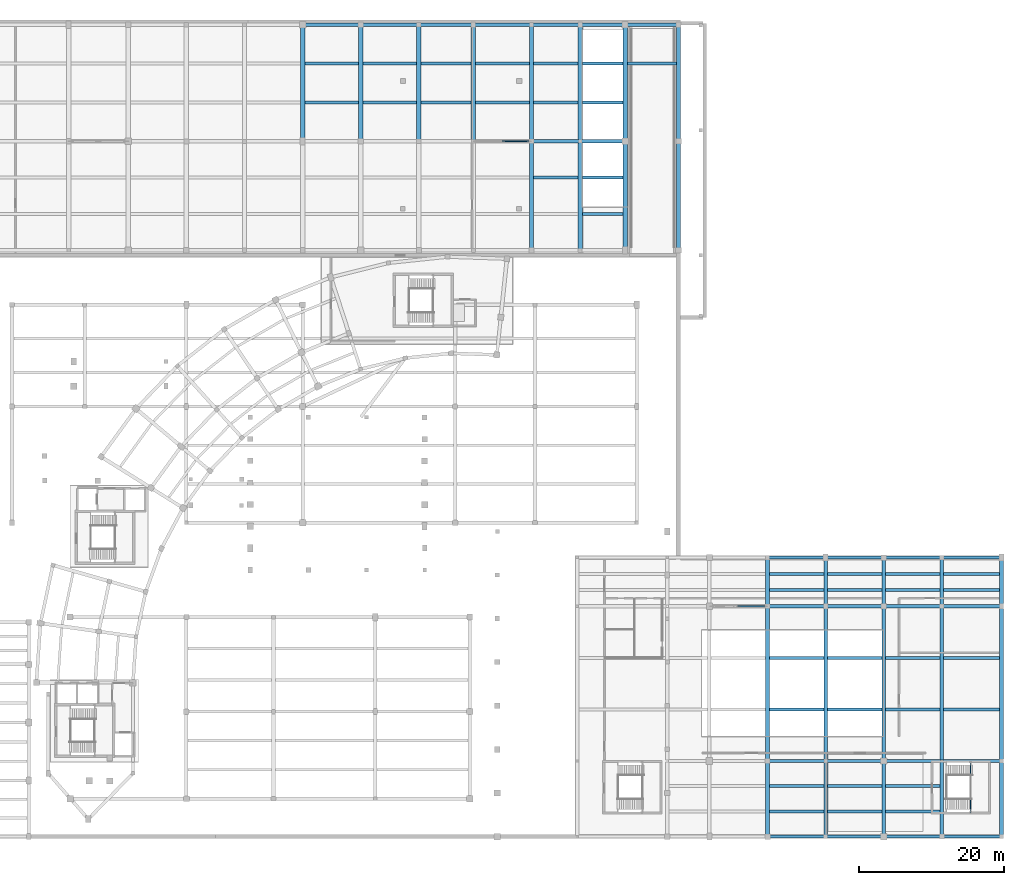
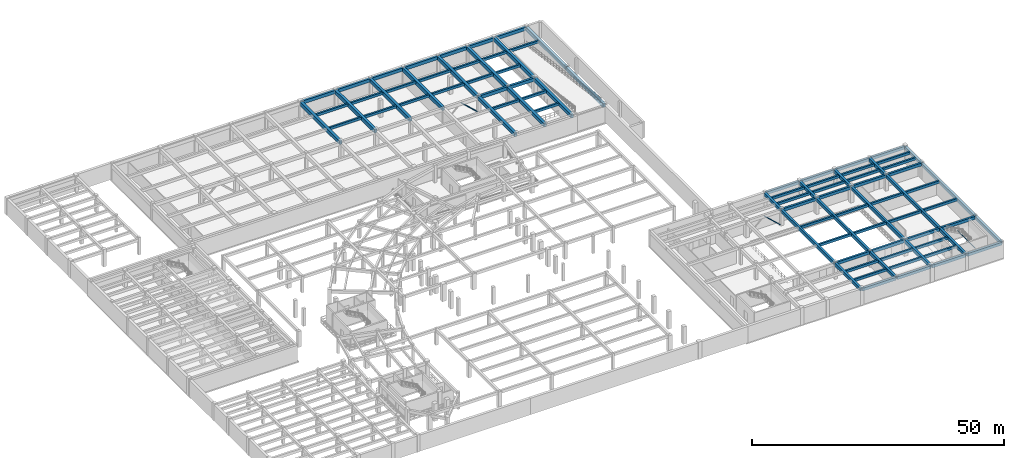
# One storey, part 8 of 35: 90 beams, 3 members.
"""IFC4 building model written with IfcOpenShell, lengths in metres."""

import ifcopenshell
import ifcopenshell.guid

model = None  # the IFC model being written
_history = None  # IfcOwnerHistory: only IFC2X3 demands one
_inside = {}  # id of a spatial element -> (the spatial element, [elements in it])
_under = {}  # id of a project, library or spatial element -> (it, [spatial elements below it])
_declared = {}  # id of a project -> (the project, [libraries it declares])
_typed = {}  # id of a type object -> (the type object, [elements of that type])
_made_of = {}  # id of a material, layer set ... -> (it, [elements and type objects made of it])


def new_model(schema):
    """Start an empty IFC model of exactly this schema.

    Asked for "IFC4X3", IfcOpenShell would pick the latest addendum, in which some entities
    have other attributes; the version numbers below select the first issue.
    IFC2X3 requires an IfcOwnerHistory on every rooted entity: one is made here for all.
    """
    global model, _history
    if schema == "IFC4X3":
        model = ifcopenshell.file(schema_version=(4, 3, 0, 0))
    else:
        model = ifcopenshell.file(schema=schema)
    _inside.clear()
    _under.clear()
    _declared.clear()
    _typed.clear()
    _made_of.clear()
    _history = None
    if model.schema == "IFC2X3":
        org = make("IfcOrganization", Name="unknown")
        user = make(
            "IfcPersonAndOrganization",
            ThePerson=make("IfcPerson", FamilyName="unknown"),
            TheOrganization=org,
        )
        app = make(
            "IfcApplication",
            ApplicationDeveloper=org,
            Version="unknown",
            ApplicationFullName="unknown",
            ApplicationIdentifier="unknown",
        )
        _history = make(
            "IfcOwnerHistory",
            OwningUser=user,
            OwningApplication=app,
            ChangeAction="ADDED",
            CreationDate=0,
        )
    return model


def make(cls, **values):
    """One entity of the class cls with the attributes given. An attribute that is None is left unset."""
    return model.create_entity(
        cls, **{name: value for name, value in values.items() if value is not None}
    )


def rooted(cls, **values):
    """An entity with a GlobalId (a new one), such as an element, a storey or a relation."""
    return make(cls, GlobalId=ifcopenshell.guid.new(), OwnerHistory=_history, **values)


def si_unit(unit_type, name, prefix=None):
    """IfcSIUnit, for example si_unit("LENGTHUNIT", "METRE", prefix="MILLI")."""
    return make("IfcSIUnit", UnitType=unit_type, Prefix=prefix, Name=name)


def assignment(units):
    """IfcUnitAssignment: the units of a project."""
    return None if units is None else make("IfcUnitAssignment", Units=units)


def point(xyz):
    """IfcCartesianPoint."""
    return None if xyz is None else make("IfcCartesianPoint", Coordinates=xyz)


def direction(xyz):
    """IfcDirection."""
    return None if xyz is None else make("IfcDirection", DirectionRatios=xyz)


def frame(location, z_axis=None, x_axis=None):
    """IfcAxis2Placement3D, a coordinate frame: its origin and axes. An axis left out is left unset."""
    return make(
        "IfcAxis2Placement3D",
        Location=point(location),
        Axis=direction(z_axis),
        RefDirection=direction(x_axis),
    )


def frame_2d(location, x_axis=None):
    """IfcAxis2Placement2D, a coordinate frame in the plane: its origin and x axis."""
    return make(
        "IfcAxis2Placement2D", Location=point(location), RefDirection=direction(x_axis)
    )


def origin():
    """The frame at (0, 0, 0) with its axes left unset."""
    return frame((0.0, 0.0, 0.0))


def origin_2d():
    """The frame at (0, 0) in the plane with its x axis left unset."""
    return frame_2d((0.0, 0.0))


def place(relative_to, where):
    """IfcLocalPlacement: puts the frame where relative to a parent placement (None: the world)."""
    return make(
        "IfcLocalPlacement", PlacementRelTo=relative_to, RelativePlacement=where
    )


def context(
    kind, dimensions, precision=None, world=None, true_north=None, identifier=None
):
    """IfcGeometricRepresentationContext, for example the 3D "Model" context."""
    return make(
        "IfcGeometricRepresentationContext",
        ContextIdentifier=identifier,
        ContextType=kind,
        CoordinateSpaceDimension=dimensions,
        Precision=precision,
        WorldCoordinateSystem=world,
        TrueNorth=true_north,
    )


def subcontext(parent, identifier, kind, view, scale=None):
    """IfcGeometricRepresentationSubContext, for example "Body" below "Model"."""
    return make(
        "IfcGeometricRepresentationSubContext",
        ContextIdentifier=identifier,
        ContextType=kind,
        ParentContext=parent,
        TargetScale=scale,
        TargetView=view,
    )


def project(units=None, contexts=None):
    """IfcProject with its units and contexts."""
    return rooted(
        "IfcProject",
        Name="project",
        RepresentationContexts=contexts,
        UnitsInContext=assignment(units),
    )


def spatial(cls, under=None, at=None, **own):
    """A site, building, storey or space (cls), placed at a placement, below another one or the project."""
    s = rooted(cls, ObjectPlacement=at, **own)
    if under is not None:
        _under.setdefault(under.id(), (under, []))[1].append(s)
    return s


def profile(cls, at=None, kind="AREA", **sizes):
    """A parametric profile (cls). Its sizes go by their IFC names, for example OverallWidth=200.0."""
    return make(cls, ProfileType=kind, Position=at, **sizes)


def rectangle(**sizes):
    """IfcRectangleProfileDef."""
    return profile("IfcRectangleProfileDef", **sizes)


def hollow_rectangle(**sizes):
    """IfcRectangleHollowProfileDef."""
    return profile("IfcRectangleHollowProfileDef", **sizes)


def hollow_circle(**sizes):
    """IfcCircleHollowProfileDef."""
    return profile("IfcCircleHollowProfileDef", **sizes)


def extrude(swept, where, along, depth):
    """IfcExtrudedAreaSolid: the profile swept, set in the frame where, extruded along a direction by depth."""
    return make(
        "IfcExtrudedAreaSolid",
        SweptArea=swept,
        Position=where,
        ExtrudedDirection=direction(along),
        Depth=depth,
    )


def shape(context_of_items, identifier, shape_type, items):
    """IfcShapeRepresentation: the items that make up one representation, for example the "Body"."""
    return make(
        "IfcShapeRepresentation",
        ContextOfItems=context_of_items,
        RepresentationIdentifier=identifier,
        RepresentationType=shape_type,
        Items=items,
    )


def material(Name=None, Category=None):
    """IfcMaterial."""
    return make("IfcMaterial", Name=Name, Category=Category)


def material_profile(
    of_material, cross_section, Name=None, Category=None, Priority=None
):
    """IfcMaterialProfile: a cross section and its material."""
    return make(
        "IfcMaterialProfile",
        Name=Name,
        Material=of_material,
        Profile=cross_section,
        Priority=Priority,
        Category=Category,
    )


def profile_set(profiles, Name=None, composite=None):
    """IfcMaterialProfileSet."""
    return make(
        "IfcMaterialProfileSet",
        Name=Name,
        MaterialProfiles=profiles,
        CompositeProfile=composite,
    )


def made_of(thing, what):
    """Note that an element or type object is made of a material, layer set ...; save() writes the relation."""
    if what is not None:
        _made_of.setdefault(what.id(), (what, []))[1].append(thing)
    return thing


def type_object(cls, material=None, **own):
    """A type object (cls), such as IfcWallType, which elements share."""
    return made_of(rooted(cls, **own), material)


def element(
    cls,
    number,
    at=None,
    inside=None,
    cuts=None,
    type_object=None,
    material=None,
    context=None,
    identifier="Body",
    shape_type=None,
    held_by="IfcProductDefinitionShape",
    body=None,
    shapes=None,
    **own,
):
    """One element of the class cls, such as IfcWall. Its Tag is "e" and its number.

    at: its placement. inside: the storey or other place that contains it. cuts: it is an
    opening in that element (IfcRelVoidsElement). A single representation is given by context,
    identifier, shape_type and body (its items); several are given by shapes. held_by: the class
    of the entity that holds the representations. save() writes the other relations.
    """
    e = rooted(cls, Tag="e%d" % number, ObjectPlacement=at, **own)
    if body is not None:
        shapes = [shape(context, identifier, shape_type, body)]
    if shapes is not None:
        e.Representation = make(held_by, Representations=shapes)
    if inside is not None:
        _inside.setdefault(inside.id(), (inside, []))[1].append(e)
    if cuts is not None:
        rooted(
            "IfcRelVoidsElement", RelatingBuildingElement=cuts, RelatedOpeningElement=e
        )
    if type_object is not None:
        _typed.setdefault(type_object.id(), (type_object, []))[1].append(e)
    return made_of(e, material)


def aggregate(whole, parts):
    """IfcRelAggregates: a whole, such as a stair, and the parts it consists of."""
    return rooted("IfcRelAggregates", RelatingObject=whole, RelatedObjects=parts)


def save(model, path):
    """Write the relations noted so far, then the file.

    IfcRelAggregates (storeys below a building ...), IfcRelContainedInSpatialStructure (elements
    in a storey), IfcRelDefinesByType, IfcRelAssociatesMaterial and IfcRelDeclares: one each for
    every whole, place, type object, material and project.
    """
    for whole, parts in _under.values():
        aggregate(whole, parts)
    for where, things in _inside.values():
        rooted(
            "IfcRelContainedInSpatialStructure",
            RelatedElements=things,
            RelatingStructure=where,
        )
    for kind, things in _typed.values():
        rooted("IfcRelDefinesByType", RelatedObjects=things, RelatingType=kind)
    for what, things in _made_of.values():
        rooted("IfcRelAssociatesMaterial", RelatedObjects=things, RelatingMaterial=what)
    for by, libraries in _declared.values():
        rooted("IfcRelDeclares", RelatingContext=by, RelatedDefinitions=libraries)
    model.write(path)


model = new_model("IFC4")

# Units and contexts
model_context = context("Model", 3, precision=1e-05, world=origin(), true_north=direction((0.0, 1.0)))
body_context = subcontext(model_context, "Body", "Model", "MODEL_VIEW")
ifc_project = project(units=[si_unit("LENGTHUNIT", "METRE"), si_unit("AREAUNIT", "SQUARE_METRE"), si_unit("VOLUMEUNIT", "CUBIC_METRE"), si_unit("PLANEANGLEUNIT", "RADIAN"), si_unit("MASSUNIT", "GRAM", prefix="KILO"), si_unit("THERMODYNAMICTEMPERATUREUNIT", "KELVIN"), si_unit("POWERUNIT", "WATT")], contexts=[model_context])

# Site, building, storey
site_placement = place(None, origin())
site = spatial("IfcSite", under=ifc_project, at=site_placement, CompositionType="ELEMENT")
building_placement = place(site_placement, origin())
building = spatial("IfcBuilding", under=site, at=building_placement, Name="Solvatero Civic Police Headquarters", CompositionType="ELEMENT")
storey_placement = place(building_placement, frame((0.0, 0.0, -4.199951171875)))
storey = spatial("IfcBuildingStorey", under=building, at=storey_placement, Name="B01", CompositionType="ELEMENT", Elevation=-4.199951171875)

# Beams
ifc_material_1 = material(Name="Concrete C40/50", Category="concrete")
ifc_material_profile_1 = material_profile(ifc_material_1, rectangle(XDim=0.39990234375, YDim=0.60009765625, at=origin_2d()), Name="RC 400x600")
ifc_profile_set_1 = profile_set([ifc_material_profile_1], Name="Concrete C40/50")
beam_type_1 = type_object("IfcBeamType", Name="BM-RC-400x600", PredefinedType="BEAM", material=ifc_profile_set_1)
for number, where, z_axis, x_axis, name in (
    (1, (72.300048828125, 105.85009765625, 3.579833984375), (1.0, 0.0, 0.0), (0.0, 1.0, 0.0), "Primary girder BM-R2-B01-V7B-SEC-6-2-S1"),
    (2, (72.300048828125, 111.199951171875, 3.579833984375), (1.0, 0.0, 0.0), (0.0, 1.0, 0.0), "Primary girder BM-R2-B01-V7B-SEC-6-2-S2"),
    (3, (80.300048828125, 105.85009765625, 3.579833984375), (1.0, 0.0, 0.0), (0.0, 1.0, 0.0), "Primary girder BM-R2-B01-V7B-SEC-7-2-S1"),
    (4, (80.300048828125, 111.199951171875, 3.579833984375), (1.0, 0.0, 0.0), (0.0, 1.0, 0.0), "Primary girder BM-R2-B01-V7B-SEC-7-2-S2"),
):
    element("IfcBeam", number, at=place(storey_placement, frame(where, z_axis=z_axis, x_axis=x_axis)), inside=storey, type_object=beam_type_1, Name=name, PredefinedType="BEAM", context=body_context, shape_type="SweptSolid", body=[
        extrude(rectangle(XDim=0.39990234375, YDim=0.60009765625, at=origin_2d()), origin(), (0.0, 0.0, 1.0), 7.39990234375),
    ])
for number, where, z_axis, x_axis, name in (
    (5, (88.300048828125, 105.85009765625, 3.579833984375), (1.0, 0.0, 0.0), (0.0, 1.0, 0.0), "Primary girder BM-R2-B01-V7B-SEC-8-2-S1"),
    (6, (88.300048828125, 111.199951171875, 3.579833984375), (1.0, 0.0, 0.0), (0.0, 1.0, 0.0), "Primary girder BM-R2-B01-V7B-SEC-8-2-S2"),
):
    element("IfcBeam", number, at=place(storey_placement, frame(where, z_axis=z_axis, x_axis=x_axis)), inside=storey, type_object=beam_type_1, Name=name, PredefinedType="BEAM", context=body_context, shape_type="SweptSolid", body=[
        extrude(rectangle(XDim=0.39990234375, YDim=0.60009765625, at=origin_2d()), origin(), (0.0, 0.0, 1.0), 6.89990234375),
    ])
for number, where, z_axis, x_axis, name in (
    (7, (95.800048828125, 105.85009765625, 3.579833984375), (1.0, 0.0, 0.0), (0.0, 1.0, 0.0), "Primary girder BM-R2-B01-V7B-SEC-9-2-S1"),
    (8, (95.800048828125, 111.199951171875, 3.579833984375), (1.0, 0.0, 0.0), (0.0, 1.0, 0.0), "Primary girder BM-R2-B01-V7B-SEC-9-2-S2"),
):
    element("IfcBeam", number, at=place(storey_placement, frame(where, z_axis=z_axis, x_axis=x_axis)), inside=storey, type_object=beam_type_1, Name=name, PredefinedType="BEAM", context=body_context, shape_type="SweptSolid", body=[
        extrude(rectangle(XDim=0.39990234375, YDim=0.60009765625, at=origin_2d()), origin(), (0.0, 0.0, 1.0), 7.39990234375),
    ])
for number, where, z_axis, x_axis, name in (
    (9, (103.800048828125, 95.5, 3.579833984375), (1.0, 0.0, 0.0), (0.0, 1.0, 0.0), "Primary girder BM-R2-B01-V7B-SEC-10-1-S2"),
    (10, (103.800048828125, 105.85009765625, 3.579833984375), (1.0, 0.0, 0.0), (0.0, 1.0, 0.0), "Primary girder BM-R2-B01-V7B-SEC-10-2-S1"),
    (11, (103.800048828125, 111.199951171875, 3.579833984375), (1.0, 0.0, 0.0), (0.0, 1.0, 0.0), "Primary girder BM-R2-B01-V7B-SEC-10-2-S2"),
):
    element("IfcBeam", number, at=place(storey_placement, frame(where, z_axis=z_axis, x_axis=x_axis)), inside=storey, type_object=beam_type_1, Name=name, PredefinedType="BEAM", context=body_context, shape_type="SweptSolid", body=[
        extrude(rectangle(XDim=0.39990234375, YDim=0.60009765625, at=origin_2d()), origin(), (0.0, 0.0, 1.0), 6.099853515625),
    ])
for number, where, z_axis, x_axis, name in (
    (12, (110.5, 90.5, 3.579833984375), (1.0, 0.0, 0.0), (0.0, 1.0, 0.0), "Primary girder BM-R2-B01-V7B-SEC-11-1-S1"),
    (13, (110.5, 95.5, 3.579833984375), (1.0, 0.0, 0.0), (0.0, 1.0, 0.0), "Primary girder BM-R2-B01-V7B-SEC-11-1-S2"),
    (14, (110.5, 105.85009765625, 3.579833984375), (1.0, 0.0, 0.0), (0.0, 1.0, 0.0), "Primary girder BM-R2-B01-V7B-SEC-11-2-S1"),
    (15, (110.5, 111.199951171875, 3.579833984375), (1.0, 0.0, 0.0), (0.0, 1.0, 0.0), "Primary girder BM-R2-B01-V7B-SEC-11-2-S2"),
):
    element("IfcBeam", number, at=place(storey_placement, frame(where, z_axis=z_axis, x_axis=x_axis)), inside=storey, type_object=beam_type_1, Name=name, PredefinedType="BEAM", context=body_context, shape_type="SweptSolid", body=[
        extrude(rectangle(XDim=0.39990234375, YDim=0.60009765625, at=origin_2d()), origin(), (0.0, 0.0, 1.0), 5.60009765625),
    ])
beam_1_placement = place(storey_placement, frame((116.699951171875, 111.199951171875, 3.579833984375), z_axis=(1.0, 0.0, 0.0), x_axis=(0.0, 1.0, 0.0)))
element("IfcBeam", 16, at=beam_1_placement, inside=storey, type_object=beam_type_1, Name="Primary girder BM-R2-B01-V7B-SEC-12-2-S2", PredefinedType="BEAM", context=body_context, shape_type="SweptSolid", body=[
    extrude(rectangle(XDim=0.39990234375, YDim=0.60009765625, at=origin_2d()), origin(), (0.0, 0.0, 1.0), 6.75),
])
for number, where, z_axis, x_axis, name in (
    (17, (136.25, 8.2666015625, 3.599853515625), (1.0, 0.0, 0.0), (0.0, 1.0, 0.0), "Primary girder BM-R2-B01-V3B-SEC-4-1-S1"),
    (18, (136.25, 11.7333984375, 3.599853515625), (1.0, 0.0, 0.0), (0.0, 1.0, 0.0), "Primary girder BM-R2-B01-V3B-SEC-4-1-S2"),
    (19, (136.25, 22.300048828125, 3.599853515625), (1.0, 0.0, 0.0), (0.0, 1.0, 0.0), "Primary girder BM-R2-B01-V3B-SEC-4-2-S1"),
    (20, (136.25, 29.39990234375, 3.599853515625), (1.0, 0.0, 0.0), (0.0, 1.0, 0.0), "Primary girder BM-R2-B01-V3B-SEC-4-2-S2"),
    (21, (136.25, 38.7333984375, 3.599853515625), (1.0, 0.0, 0.0), (0.0, 1.0, 0.0), "Primary girder BM-R2-B01-V3B-SEC-4-3-S1"),
    (22, (136.25, 40.966796875, 3.599853515625), (1.0, 0.0, 0.0), (0.0, 1.0, 0.0), "Primary girder BM-R2-B01-V3B-SEC-4-3-S2"),
    (23, (144.25, 8.2666015625, 3.599853515625), (1.0, 0.0, 0.0), (0.0, 1.0, 0.0), "Primary girder BM-R2-B01-V3B-SEC-5-1-S1"),
    (24, (144.25, 11.7333984375, 3.599853515625), (1.0, 0.0, 0.0), (0.0, 1.0, 0.0), "Primary girder BM-R2-B01-V3B-SEC-5-1-S2"),
    (25, (144.25, 22.300048828125, 3.599853515625), (1.0, 0.0, 0.0), (0.0, 1.0, 0.0), "Primary girder BM-R2-B01-V3B-SEC-5-2-S1"),
    (26, (144.25, 29.39990234375, 3.599853515625), (1.0, 0.0, 0.0), (0.0, 1.0, 0.0), "Primary girder BM-R2-B01-V3B-SEC-5-2-S2"),
    (27, (144.25, 38.7333984375, 3.599853515625), (1.0, 0.0, 0.0), (0.0, 1.0, 0.0), "Primary girder BM-R2-B01-V3B-SEC-5-3-S1"),
    (28, (144.25, 40.966796875, 3.599853515625), (1.0, 0.0, 0.0), (0.0, 1.0, 0.0), "Primary girder BM-R2-B01-V3B-SEC-5-3-S2"),
    (29, (152.25, 8.2666015625, 3.599853515625), (1.0, 0.0, 0.0), (0.0, 1.0, 0.0), "Primary girder BM-R2-B01-V3B-SEC-6-1-S1"),
    (30, (152.25, 11.7333984375, 3.599853515625), (1.0, 0.0, 0.0), (0.0, 1.0, 0.0), "Primary girder BM-R2-B01-V3B-SEC-6-1-S2"),
    (31, (152.25, 22.300048828125, 3.599853515625), (1.0, 0.0, 0.0), (0.0, 1.0, 0.0), "Primary girder BM-R2-B01-V3B-SEC-6-2-S1"),
    (32, (152.25, 29.39990234375, 3.599853515625), (1.0, 0.0, 0.0), (0.0, 1.0, 0.0), "Primary girder BM-R2-B01-V3B-SEC-6-2-S2"),
    (33, (152.25, 38.7333984375, 3.599853515625), (1.0, 0.0, 0.0), (0.0, 1.0, 0.0), "Primary girder BM-R2-B01-V3B-SEC-6-3-S1"),
    (34, (152.25, 40.966796875, 3.599853515625), (1.0, 0.0, 0.0), (0.0, 1.0, 0.0), "Primary girder BM-R2-B01-V3B-SEC-6-3-S2"),
):
    element("IfcBeam", number, at=place(storey_placement, frame(where, z_axis=z_axis, x_axis=x_axis)), inside=storey, type_object=beam_type_1, Name=name, PredefinedType="BEAM", context=body_context, shape_type="SweptSolid", body=[
        extrude(rectangle(XDim=0.39990234375, YDim=0.60009765625, at=origin_2d()), origin(), (0.0, 0.0, 1.0), 7.5),
    ])
for number, where, z_axis, x_axis, name in (
    (35, (160.25, 22.300048828125, 3.599853515625), (1.0, 0.0, 0.0), (0.0, 1.0, 0.0), "Primary girder BM-R2-B01-V3B-SEC-7-2-S1"),
    (36, (160.25, 29.39990234375, 3.599853515625), (1.0, 0.0, 0.0), (0.0, 1.0, 0.0), "Primary girder BM-R2-B01-V3B-SEC-7-2-S2"),
    (37, (160.25, 38.7333984375, 3.599853515625), (1.0, 0.0, 0.0), (0.0, 1.0, 0.0), "Primary girder BM-R2-B01-V3B-SEC-7-3-S1"),
    (38, (160.25, 40.966796875, 3.599853515625), (1.0, 0.0, 0.0), (0.0, 1.0, 0.0), "Primary girder BM-R2-B01-V3B-SEC-7-3-S2"),
):
    element("IfcBeam", number, at=place(storey_placement, frame(where, z_axis=z_axis, x_axis=x_axis)), inside=storey, type_object=beam_type_1, Name=name, PredefinedType="BEAM", context=body_context, shape_type="SweptSolid", body=[
        extrude(rectangle(XDim=0.39990234375, YDim=0.60009765625, at=origin_2d()), origin(), (0.0, 0.0, 1.0), 7.699951171875),
    ])
ifc_material_profile_2 = material_profile(ifc_material_1, rectangle(XDim=0.449951171875, YDim=0.699951171875, at=origin_2d()), Name="RC 450x700")
ifc_profile_set_2 = profile_set([ifc_material_profile_2], Name="Concrete C40/50")
beam_type_2 = type_object("IfcBeamType", Name="BM-RC-450x700", PredefinedType="BEAM", material=ifc_profile_set_2)
for number, where, z_axis, x_axis, name in (
    (39, (136.159912109375, 4.800048828125, 3.550048828125), (1.0, 0.0, 0.0), (0.0, 1.0, 0.0), "Primary girder BM-R2-B01-V3B-GX-4-1"),
    (40, (144.159912109375, 4.800048828125, 3.550048828125), (1.0, 0.0, 0.0), (0.0, 1.0, 0.0), "Primary girder BM-R2-B01-V3B-GX-5-1"),
    (41, (152.159912109375, 4.800048828125, 3.550048828125), (1.0, 0.0, 0.0), (0.0, 1.0, 0.0), "Primary girder BM-R2-B01-V3B-GX-6-1"),
):
    element("IfcBeam", number, at=place(storey_placement, frame(where, z_axis=z_axis, x_axis=x_axis)), inside=storey, type_object=beam_type_2, Name=name, PredefinedType="BEAM", context=body_context, shape_type="SweptSolid", body=[
        extrude(rectangle(XDim=0.449951171875, YDim=0.699951171875, at=origin_2d()), origin(), (0.0, 0.0, 1.0), 7.68017578125),
    ])
beam_2_placement = place(storey_placement, frame((160.159912109375, 4.800048828125, 3.550048828125), z_axis=(1.0, 0.0, 0.0), x_axis=(0.0, 1.0, 0.0)))
element("IfcBeam", 42, at=beam_2_placement, inside=storey, type_object=beam_type_2, Name="Primary girder BM-R2-B01-V3B-GX-7-1", PredefinedType="BEAM", context=body_context, shape_type="SweptSolid", body=[
    extrude(rectangle(XDim=0.449951171875, YDim=0.699951171875, at=origin_2d()), origin(), (0.0, 0.0, 1.0), 7.880126953125),
])
for number, where, z_axis, x_axis, name in (
    (43, (136.159912109375, 15.199951171875, 3.550048828125), (1.0, 0.0, 0.0), (0.0, 1.0, 0.0), "Primary girder BM-R2-B01-V3B-GX-4-2"),
    (44, (144.159912109375, 15.199951171875, 3.550048828125), (1.0, 0.0, 0.0), (0.0, 1.0, 0.0), "Primary girder BM-R2-B01-V3B-GX-5-2"),
    (45, (152.159912109375, 15.199951171875, 3.550048828125), (1.0, 0.0, 0.0), (0.0, 1.0, 0.0), "Primary girder BM-R2-B01-V3B-GX-6-2"),
):
    element("IfcBeam", number, at=place(storey_placement, frame(where, z_axis=z_axis, x_axis=x_axis)), inside=storey, type_object=beam_type_2, Name=name, PredefinedType="BEAM", context=body_context, shape_type="SweptSolid", body=[
        extrude(rectangle(XDim=0.449951171875, YDim=0.699951171875, at=origin_2d()), origin(), (0.0, 0.0, 1.0), 7.68017578125),
    ])
beam_3_placement = place(storey_placement, frame((160.159912109375, 15.199951171875, 3.550048828125), z_axis=(1.0, 0.0, 0.0), x_axis=(0.0, 1.0, 0.0)))
element("IfcBeam", 46, at=beam_3_placement, inside=storey, type_object=beam_type_2, Name="Primary girder BM-R2-B01-V3B-GX-7-2", PredefinedType="BEAM", context=body_context, shape_type="SweptSolid", body=[
    extrude(rectangle(XDim=0.449951171875, YDim=0.699951171875, at=origin_2d()), origin(), (0.0, 0.0, 1.0), 7.880126953125),
])
for number, where, z_axis, x_axis, name in (
    (47, (136.159912109375, 36.5, 3.550048828125), (1.0, 0.0, 0.0), (0.0, 1.0, 0.0), "Primary girder BM-R2-B01-V3B-GX-4-3"),
    (48, (144.159912109375, 36.5, 3.550048828125), (1.0, 0.0, 0.0), (0.0, 1.0, 0.0), "Primary girder BM-R2-B01-V3B-GX-5-3"),
    (49, (152.159912109375, 36.5, 3.550048828125), (1.0, 0.0, 0.0), (0.0, 1.0, 0.0), "Primary girder BM-R2-B01-V3B-GX-6-3"),
):
    element("IfcBeam", number, at=place(storey_placement, frame(where, z_axis=z_axis, x_axis=x_axis)), inside=storey, type_object=beam_type_2, Name=name, PredefinedType="BEAM", context=body_context, shape_type="SweptSolid", body=[
        extrude(rectangle(XDim=0.449951171875, YDim=0.699951171875, at=origin_2d()), origin(), (0.0, 0.0, 1.0), 7.68017578125),
    ])
beam_4_placement = place(storey_placement, frame((160.159912109375, 36.5, 3.550048828125), z_axis=(1.0, 0.0, 0.0), x_axis=(0.0, 1.0, 0.0)))
element("IfcBeam", 50, at=beam_4_placement, inside=storey, type_object=beam_type_2, Name="Primary girder BM-R2-B01-V3B-GX-7-3", PredefinedType="BEAM", context=body_context, shape_type="SweptSolid", body=[
    extrude(rectangle(XDim=0.449951171875, YDim=0.699951171875, at=origin_2d()), origin(), (0.0, 0.0, 1.0), 7.880126953125),
])
for number, where, z_axis, x_axis, name in (
    (51, (136.159912109375, 43.199951171875, 3.550048828125), (1.0, 0.0, 0.0), (0.0, 1.0, 0.0), "Primary girder BM-R2-B01-V3B-GX-4-4"),
    (52, (144.159912109375, 43.199951171875, 3.550048828125), (1.0, 0.0, 0.0), (0.0, 1.0, 0.0), "Primary girder BM-R2-B01-V3B-GX-5-4"),
    (53, (152.159912109375, 43.199951171875, 3.550048828125), (1.0, 0.0, 0.0), (0.0, 1.0, 0.0), "Primary girder BM-R2-B01-V3B-GX-6-4"),
):
    element("IfcBeam", number, at=place(storey_placement, frame(where, z_axis=z_axis, x_axis=x_axis)), inside=storey, type_object=beam_type_2, Name=name, PredefinedType="BEAM", context=body_context, shape_type="SweptSolid", body=[
        extrude(rectangle(XDim=0.449951171875, YDim=0.699951171875, at=origin_2d()), origin(), (0.0, 0.0, 1.0), 7.68017578125),
    ])
beam_5_placement = place(storey_placement, frame((160.159912109375, 43.199951171875, 3.550048828125), z_axis=(1.0, 0.0, 0.0), x_axis=(0.0, 1.0, 0.0)))
element("IfcBeam", 54, at=beam_5_placement, inside=storey, type_object=beam_type_2, Name="Primary girder BM-R2-B01-V3B-GX-7-4", PredefinedType="BEAM", context=body_context, shape_type="SweptSolid", body=[
    extrude(rectangle(XDim=0.449951171875, YDim=0.699951171875, at=origin_2d()), origin(), (0.0, 0.0, 1.0), 7.880126953125),
])
ifc_material_profile_3 = material_profile(ifc_material_1, rectangle(XDim=0.5, YDim=0.800048828125, at=origin_2d()), Name="RC 500x800")
ifc_profile_set_3 = profile_set([ifc_material_profile_3], Name="Concrete C40/50")
beam_type_3 = type_object("IfcBeamType", Name="BM-RC-500x800", PredefinedType="BEAM", material=ifc_profile_set_3)
beam_6_placement = place(storey_placement, frame((103.659912109375, 100.5, 3.47998046875), z_axis=(1.0, 0.0, 0.0), x_axis=(0.0, 1.0, 0.0)))
element("IfcBeam", 55, at=beam_6_placement, inside=storey, type_object=beam_type_3, Name="Primary girder BM-R2-B01-V7B-GX-10-2", PredefinedType="BEAM", context=body_context, shape_type="SweptSolid", body=[
    extrude(rectangle(XDim=0.5, YDim=0.800048828125, at=origin_2d()), origin(), (0.0, 0.0, 1.0), 6.380126953125),
])
beam_7_placement = place(storey_placement, frame((110.360107421875, 100.5, 3.47998046875), z_axis=(1.0, 0.0, 0.0), x_axis=(0.0, 1.0, 0.0)))
element("IfcBeam", 56, at=beam_7_placement, inside=storey, type_object=beam_type_3, Name="Primary girder BM-R2-B01-V7B-GX-11-2", PredefinedType="BEAM", context=body_context, shape_type="SweptSolid", body=[
    extrude(rectangle(XDim=0.5, YDim=0.800048828125, at=origin_2d()), origin(), (0.0, 0.0, 1.0), 5.8798828125),
])
for number, where, z_axis, x_axis, name in (
    (57, (72.159912109375, 116.550048828125, 3.47998046875), (1.0, 0.0, 0.0), (0.0, 1.0, 0.0), "Primary girder BM-R2-B01-V7B-GX-6-3"),
    (58, (80.159912109375, 116.550048828125, 3.47998046875), (1.0, 0.0, 0.0), (0.0, 1.0, 0.0), "Primary girder BM-R2-B01-V7B-GX-7-3"),
):
    element("IfcBeam", number, at=place(storey_placement, frame(where, z_axis=z_axis, x_axis=x_axis)), inside=storey, type_object=beam_type_3, Name=name, PredefinedType="BEAM", context=body_context, shape_type="SweptSolid", body=[
        extrude(rectangle(XDim=0.5, YDim=0.800048828125, at=origin_2d()), origin(), (0.0, 0.0, 1.0), 7.68017578125),
    ])
beam_8_placement = place(storey_placement, frame((88.159912109375, 116.550048828125, 3.47998046875), z_axis=(1.0, 0.0, 0.0), x_axis=(0.0, 1.0, 0.0)))
element("IfcBeam", 59, at=beam_8_placement, inside=storey, type_object=beam_type_3, Name="Primary girder BM-R2-B01-V7B-GX-8-3", PredefinedType="BEAM", context=body_context, shape_type="SweptSolid", body=[
    extrude(rectangle(XDim=0.5, YDim=0.800048828125, at=origin_2d()), origin(), (0.0, 0.0, 1.0), 7.18017578125),
])
beam_9_placement = place(storey_placement, frame((95.659912109375, 116.550048828125, 3.47998046875), z_axis=(1.0, 0.0, 0.0), x_axis=(0.0, 1.0, 0.0)))
element("IfcBeam", 60, at=beam_9_placement, inside=storey, type_object=beam_type_3, Name="Primary girder BM-R2-B01-V7B-GX-9-3", PredefinedType="BEAM", context=body_context, shape_type="SweptSolid", body=[
    extrude(rectangle(XDim=0.5, YDim=0.800048828125, at=origin_2d()), origin(), (0.0, 0.0, 1.0), 7.68017578125),
])
beam_10_placement = place(storey_placement, frame((103.659912109375, 116.550048828125, 3.47998046875), z_axis=(1.0, 0.0, 0.0), x_axis=(0.0, 1.0, 0.0)))
element("IfcBeam", 61, at=beam_10_placement, inside=storey, type_object=beam_type_3, Name="Primary girder BM-R2-B01-V7B-GX-10-3", PredefinedType="BEAM", context=body_context, shape_type="SweptSolid", body=[
    extrude(rectangle(XDim=0.5, YDim=0.800048828125, at=origin_2d()), origin(), (0.0, 0.0, 1.0), 6.380126953125),
])
beam_11_placement = place(storey_placement, frame((110.360107421875, 116.550048828125, 3.47998046875), z_axis=(1.0, 0.0, 0.0), x_axis=(0.0, 1.0, 0.0)))
element("IfcBeam", 62, at=beam_11_placement, inside=storey, type_object=beam_type_3, Name="Primary girder BM-R2-B01-V7B-GX-11-3", PredefinedType="BEAM", context=body_context, shape_type="SweptSolid", body=[
    extrude(rectangle(XDim=0.5, YDim=0.800048828125, at=origin_2d()), origin(), (0.0, 0.0, 1.0), 5.8798828125),
])
beam_12_placement = place(storey_placement, frame((116.56005859375, 116.550048828125, 3.47998046875), z_axis=(1.0, 0.0, 0.0), x_axis=(0.0, 1.0, 0.0)))
element("IfcBeam", 63, at=beam_12_placement, inside=storey, type_object=beam_type_3, Name="Primary girder BM-R2-B01-V7B-GX-12-3", PredefinedType="BEAM", context=body_context, shape_type="SweptSolid", body=[
    extrude(rectangle(XDim=0.5, YDim=0.800048828125, at=origin_2d()), origin(), (0.0, 0.0, 1.0), 7.030029296875),
])
beam_13_placement = place(storey_placement, frame((136.0, 4.9599609375, 3.5), z_axis=(0.0, 1.0, 0.0), x_axis=(-1.0, 0.0, 0.0)))
element("IfcBeam", 64, at=beam_13_placement, inside=storey, type_object=beam_type_3, Name="Primary girder BM-R2-B01-V3B-GY-4-1", PredefinedType="BEAM", context=body_context, shape_type="SweptSolid", body=[
    extrude(rectangle(XDim=0.5, YDim=0.800048828125, at=origin_2d()), origin(), (0.0, 0.0, 1.0), 10.080078125),
])
beam_14_placement = place(storey_placement, frame((136.0, 15.360107421875, 3.5), z_axis=(0.0, 1.0, 0.0), x_axis=(-1.0, 0.0, 0.0)))
element("IfcBeam", 65, at=beam_14_placement, inside=storey, type_object=beam_type_3, Name="Primary girder BM-R2-B01-V3B-GY-4-2", PredefinedType="BEAM", context=body_context, shape_type="SweptSolid", body=[
    extrude(rectangle(XDim=0.5, YDim=0.800048828125, at=origin_2d()), origin(), (0.0, 0.0, 1.0), 20.97998046875),
])
beam_15_placement = place(storey_placement, frame((136.0, 36.659912109375, 3.5), z_axis=(0.0, 1.0, 0.0), x_axis=(-1.0, 0.0, 0.0)))
element("IfcBeam", 66, at=beam_15_placement, inside=storey, type_object=beam_type_3, Name="Primary girder BM-R2-B01-V3B-GY-4-3", PredefinedType="BEAM", context=body_context, shape_type="SweptSolid", body=[
    extrude(rectangle(XDim=0.5, YDim=0.800048828125, at=origin_2d()), origin(), (0.0, 0.0, 1.0), 6.380126953125),
])
beam_16_placement = place(storey_placement, frame((144.0, 4.9599609375, 3.5), z_axis=(0.0, 1.0, 0.0), x_axis=(-1.0, 0.0, 0.0)))
element("IfcBeam", 67, at=beam_16_placement, inside=storey, type_object=beam_type_3, Name="Primary girder BM-R2-B01-V3B-GY-5-1", PredefinedType="BEAM", context=body_context, shape_type="SweptSolid", body=[
    extrude(rectangle(XDim=0.5, YDim=0.800048828125, at=origin_2d()), origin(), (0.0, 0.0, 1.0), 10.080078125),
])
beam_17_placement = place(storey_placement, frame((144.0, 15.360107421875, 3.5), z_axis=(0.0, 1.0, 0.0), x_axis=(-1.0, 0.0, 0.0)))
element("IfcBeam", 68, at=beam_17_placement, inside=storey, type_object=beam_type_3, Name="Primary girder BM-R2-B01-V3B-GY-5-2", PredefinedType="BEAM", context=body_context, shape_type="SweptSolid", body=[
    extrude(rectangle(XDim=0.5, YDim=0.800048828125, at=origin_2d()), origin(), (0.0, 0.0, 1.0), 20.97998046875),
])
beam_18_placement = place(storey_placement, frame((144.0, 36.659912109375, 3.5), z_axis=(0.0, 1.0, 0.0), x_axis=(-1.0, 0.0, 0.0)))
element("IfcBeam", 69, at=beam_18_placement, inside=storey, type_object=beam_type_3, Name="Primary girder BM-R2-B01-V3B-GY-5-3", PredefinedType="BEAM", context=body_context, shape_type="SweptSolid", body=[
    extrude(rectangle(XDim=0.5, YDim=0.800048828125, at=origin_2d()), origin(), (0.0, 0.0, 1.0), 6.380126953125),
])
beam_19_placement = place(storey_placement, frame((152.0, 4.9599609375, 3.5), z_axis=(0.0, 1.0, 0.0), x_axis=(-1.0, 0.0, 0.0)))
element("IfcBeam", 70, at=beam_19_placement, inside=storey, type_object=beam_type_3, Name="Primary girder BM-R2-B01-V3B-GY-6-1", PredefinedType="BEAM", context=body_context, shape_type="SweptSolid", body=[
    extrude(rectangle(XDim=0.5, YDim=0.800048828125, at=origin_2d()), origin(), (0.0, 0.0, 1.0), 10.080078125),
])
beam_20_placement = place(storey_placement, frame((152.0, 15.360107421875, 3.5), z_axis=(0.0, 1.0, 0.0), x_axis=(-1.0, 0.0, 0.0)))
element("IfcBeam", 71, at=beam_20_placement, inside=storey, type_object=beam_type_3, Name="Primary girder BM-R2-B01-V3B-GY-6-2", PredefinedType="BEAM", context=body_context, shape_type="SweptSolid", body=[
    extrude(rectangle(XDim=0.5, YDim=0.800048828125, at=origin_2d()), origin(), (0.0, 0.0, 1.0), 20.97998046875),
])
beam_21_placement = place(storey_placement, frame((152.0, 36.659912109375, 3.5), z_axis=(0.0, 1.0, 0.0), x_axis=(-1.0, 0.0, 0.0)))
element("IfcBeam", 72, at=beam_21_placement, inside=storey, type_object=beam_type_3, Name="Primary girder BM-R2-B01-V3B-GY-6-3", PredefinedType="BEAM", context=body_context, shape_type="SweptSolid", body=[
    extrude(rectangle(XDim=0.5, YDim=0.800048828125, at=origin_2d()), origin(), (0.0, 0.0, 1.0), 6.380126953125),
])
beam_22_placement = place(storey_placement, frame((160.0, 4.9599609375, 3.5), z_axis=(0.0, 1.0, 0.0), x_axis=(-1.0, 0.0, 0.0)))
element("IfcBeam", 73, at=beam_22_placement, inside=storey, type_object=beam_type_3, Name="Primary girder BM-R2-B01-V3B-GY-7-1", PredefinedType="BEAM", context=body_context, shape_type="SweptSolid", body=[
    extrude(rectangle(XDim=0.5, YDim=0.800048828125, at=origin_2d()), origin(), (0.0, 0.0, 1.0), 10.080078125),
])
beam_23_placement = place(storey_placement, frame((160.0, 15.360107421875, 3.5), z_axis=(0.0, 1.0, 0.0), x_axis=(-1.0, 0.0, 0.0)))
element("IfcBeam", 74, at=beam_23_placement, inside=storey, type_object=beam_type_3, Name="Primary girder BM-R2-B01-V3B-GY-7-2", PredefinedType="BEAM", context=body_context, shape_type="SweptSolid", body=[
    extrude(rectangle(XDim=0.5, YDim=0.800048828125, at=origin_2d()), origin(), (0.0, 0.0, 1.0), 20.97998046875),
])
beam_24_placement = place(storey_placement, frame((160.0, 36.659912109375, 3.5), z_axis=(0.0, 1.0, 0.0), x_axis=(-1.0, 0.0, 0.0)))
element("IfcBeam", 75, at=beam_24_placement, inside=storey, type_object=beam_type_3, Name="Primary girder BM-R2-B01-V3B-GY-7-3", PredefinedType="BEAM", context=body_context, shape_type="SweptSolid", body=[
    extrude(rectangle(XDim=0.5, YDim=0.800048828125, at=origin_2d()), origin(), (0.0, 0.0, 1.0), 6.380126953125),
])
beam_25_placement = place(storey_placement, frame((168.199951171875, 4.9599609375, 3.5), z_axis=(0.0, 1.0, 0.0), x_axis=(-1.0, 0.0, 0.0)))
element("IfcBeam", 76, at=beam_25_placement, inside=storey, type_object=beam_type_3, Name="Primary girder BM-R2-B01-V3B-GY-8-1", PredefinedType="BEAM", context=body_context, shape_type="SweptSolid", body=[
    extrude(rectangle(XDim=0.5, YDim=0.800048828125, at=origin_2d()), origin(), (0.0, 0.0, 1.0), 10.080078125),
])
beam_26_placement = place(storey_placement, frame((168.199951171875, 15.360107421875, 3.5), z_axis=(0.0, 1.0, 0.0), x_axis=(-1.0, 0.0, 0.0)))
element("IfcBeam", 77, at=beam_26_placement, inside=storey, type_object=beam_type_3, Name="Primary girder BM-R2-B01-V3B-GY-8-2", PredefinedType="BEAM", context=body_context, shape_type="SweptSolid", body=[
    extrude(rectangle(XDim=0.5, YDim=0.800048828125, at=origin_2d()), origin(), (0.0, 0.0, 1.0), 20.97998046875),
])
beam_27_placement = place(storey_placement, frame((168.199951171875, 36.659912109375, 3.5), z_axis=(0.0, 1.0, 0.0), x_axis=(-1.0, 0.0, 0.0)))
element("IfcBeam", 78, at=beam_27_placement, inside=storey, type_object=beam_type_3, Name="Primary girder BM-R2-B01-V3B-GY-8-3", PredefinedType="BEAM", context=body_context, shape_type="SweptSolid", body=[
    extrude(rectangle(XDim=0.5, YDim=0.800048828125, at=origin_2d()), origin(), (0.0, 0.0, 1.0), 6.380126953125),
])
ifc_material_profile_4 = material_profile(ifc_material_1, rectangle(XDim=0.60009765625, YDim=0.89990234375, at=origin_2d()), Name="RC 600x900")
ifc_profile_set_4 = profile_set([ifc_material_profile_4], Name="Concrete C40/50")
beam_type_4 = type_object("IfcBeamType", Name="BM-RC-600x900", PredefinedType="BEAM", material=ifc_profile_set_4)
for number, where, z_axis, x_axis, name in (
    (79, (72.0, 100.659912109375, 3.429931640625), (0.0, 1.0, 0.0), (-1.0, 0.0, 0.0), "Primary girder BM-R2-B01-V7B-GY-6-2"),
    (80, (80.0, 100.659912109375, 3.429931640625), (0.0, 1.0, 0.0), (-1.0, 0.0, 0.0), "Primary girder BM-R2-B01-V7B-GY-7-2"),
    (81, (88.0, 100.659912109375, 3.429931640625), (0.0, 1.0, 0.0), (-1.0, 0.0, 0.0), "Primary girder BM-R2-B01-V7B-GY-8-2"),
    (82, (95.5, 100.659912109375, 3.429931640625), (0.0, 1.0, 0.0), (-1.0, 0.0, 0.0), "Primary girder BM-R2-B01-V7B-GY-9-2"),
):
    element("IfcBeam", number, at=place(storey_placement, frame(where, z_axis=z_axis, x_axis=x_axis)), inside=storey, type_object=beam_type_4, Name=name, PredefinedType="BEAM", context=body_context, shape_type="SweptSolid", body=[
        extrude(rectangle(XDim=0.60009765625, YDim=0.89990234375, at=origin_2d()), origin(), (0.0, 0.0, 1.0), 15.72998046875),
    ])
beam_28_placement = place(storey_placement, frame((103.5, 85.659912109375, 3.429931640625), z_axis=(0.0, 1.0, 0.0), x_axis=(-1.0, 0.0, 0.0)))
element("IfcBeam", 83, at=beam_28_placement, inside=storey, type_object=beam_type_4, Name="Primary girder BM-R2-B01-V7B-GY-10-1", PredefinedType="BEAM", context=body_context, shape_type="SweptSolid", body=[
    extrude(rectangle(XDim=0.60009765625, YDim=0.89990234375, at=origin_2d()), origin(), (0.0, 0.0, 1.0), 14.68017578125),
])
beam_29_placement = place(storey_placement, frame((103.5, 100.659912109375, 3.429931640625), z_axis=(0.0, 1.0, 0.0), x_axis=(-1.0, 0.0, 0.0)))
element("IfcBeam", 84, at=beam_29_placement, inside=storey, type_object=beam_type_4, Name="Primary girder BM-R2-B01-V7B-GY-10-2", PredefinedType="BEAM", context=body_context, shape_type="SweptSolid", body=[
    extrude(rectangle(XDim=0.60009765625, YDim=0.89990234375, at=origin_2d()), origin(), (0.0, 0.0, 1.0), 15.72998046875),
])
beam_30_placement = place(storey_placement, frame((110.199951171875, 85.659912109375, 3.429931640625), z_axis=(0.0, 1.0, 0.0), x_axis=(-1.0, 0.0, 0.0)))
element("IfcBeam", 85, at=beam_30_placement, inside=storey, type_object=beam_type_4, Name="Primary girder BM-R2-B01-V7B-GY-11-1", PredefinedType="BEAM", context=body_context, shape_type="SweptSolid", body=[
    extrude(rectangle(XDim=0.60009765625, YDim=0.89990234375, at=origin_2d()), origin(), (0.0, 0.0, 1.0), 14.68017578125),
])
beam_31_placement = place(storey_placement, frame((110.199951171875, 100.659912109375, 3.429931640625), z_axis=(0.0, 1.0, 0.0), x_axis=(-1.0, 0.0, 0.0)))
element("IfcBeam", 86, at=beam_31_placement, inside=storey, type_object=beam_type_4, Name="Primary girder BM-R2-B01-V7B-GY-11-2", PredefinedType="BEAM", context=body_context, shape_type="SweptSolid", body=[
    extrude(rectangle(XDim=0.60009765625, YDim=0.89990234375, at=origin_2d()), origin(), (0.0, 0.0, 1.0), 15.72998046875),
])
beam_32_placement = place(storey_placement, frame((116.39990234375, 85.659912109375, 3.429931640625), z_axis=(0.0, 1.0, 0.0), x_axis=(-1.0, 0.0, 0.0)))
element("IfcBeam", 87, at=beam_32_placement, inside=storey, type_object=beam_type_4, Name="Primary girder BM-R2-B01-V7B-GY-12-1", PredefinedType="BEAM", context=body_context, shape_type="SweptSolid", body=[
    extrude(rectangle(XDim=0.60009765625, YDim=0.89990234375, at=origin_2d()), origin(), (0.0, 0.0, 1.0), 14.68017578125),
])
beam_33_placement = place(storey_placement, frame((116.39990234375, 100.659912109375, 3.429931640625), z_axis=(0.0, 1.0, 0.0), x_axis=(-1.0, 0.0, 0.0)))
element("IfcBeam", 88, at=beam_33_placement, inside=storey, type_object=beam_type_4, Name="Primary girder BM-R2-B01-V7B-GY-12-2", PredefinedType="BEAM", context=body_context, shape_type="SweptSolid", body=[
    extrude(rectangle(XDim=0.60009765625, YDim=0.89990234375, at=origin_2d()), origin(), (0.0, 0.0, 1.0), 15.72998046875),
])
beam_34_placement = place(storey_placement, frame((123.75, 85.659912109375, 3.429931640625), z_axis=(0.0, 1.0, 0.0), x_axis=(-1.0, 0.0, 0.0)))
element("IfcBeam", 89, at=beam_34_placement, inside=storey, type_object=beam_type_4, Name="Primary girder BM-R2-B01-V7B-GY-13-1", PredefinedType="BEAM", context=body_context, shape_type="SweptSolid", body=[
    extrude(rectangle(XDim=0.60009765625, YDim=0.89990234375, at=origin_2d()), origin(), (0.0, 0.0, 1.0), 14.68017578125),
])
beam_35_placement = place(storey_placement, frame((123.75, 100.659912109375, 3.429931640625), z_axis=(0.0, 1.0, 0.0), x_axis=(-1.0, 0.0, 0.0)))
element("IfcBeam", 90, at=beam_35_placement, inside=storey, type_object=beam_type_4, Name="Primary girder BM-R2-B01-V7B-GY-13-2", PredefinedType="BEAM", context=body_context, shape_type="SweptSolid", body=[
    extrude(rectangle(XDim=0.60009765625, YDim=0.89990234375, at=origin_2d()), origin(), (0.0, 0.0, 1.0), 15.72998046875),
])

# Members
ifc_material_2 = material(Name="Steel S355", Category="steel")
ifc_material_profile_5 = material_profile(ifc_material_2, hollow_circle(Radius=0.122314453125, WallThickness=0.012451171875, at=origin_2d()), Name="CHS 244.5x12.5")
ifc_profile_set_5 = profile_set([ifc_material_profile_5], Name="Steel S355")
member_type_1 = type_object("IfcMemberType", Name="MB-BR-CHS245", PredefinedType="BRACE", material=ifc_profile_set_5)
member_1_placement = place(storey_placement, frame((103.199951171875, 100.5, 0.119873046875), z_axis=(-0.733336143838, 0.0, 0.679866236947), x_axis=(0.0, -1.0, 0.0)))
element("IfcMember", 91, at=member_1_placement, inside=storey, type_object=member_type_1, Name="Chevron Brace BR-V7-INT2 Right B01", PredefinedType="BRACE", context=body_context, shape_type="SweptSolid", body=[
    extrude(hollow_circle(Radius=0.122314453125, WallThickness=0.012451171875, at=origin_2d()), origin(), (0.0, 0.0, 1.0), 5.04541015625),
])
ifc_material_profile_6 = material_profile(ifc_material_2, hollow_rectangle(XDim=0.10009765625, YDim=0.14990234375, WallThickness=0.00634765625, InnerFilletRadius=0.00634765625, OuterFilletRadius=0.0126953125, at=origin_2d()), Name="RHS 150x100x6.3")
ifc_profile_set_6 = profile_set([ifc_material_profile_6], Name="Steel S355")
member_type_2 = type_object("IfcMemberType", Name="MB-BR-RHS150", PredefinedType="BRACE", material=ifc_profile_set_6)
member_2_placement = place(storey_placement, frame((163.93994140625, 8.080078125, 1.824951171875), z_axis=(0.0, 1.0, 0.0), x_axis=(-1.0, 0.0, 0.0)))
element("IfcMember", 92, at=member_2_placement, inside=storey, type_object=member_type_2, Name="ST-C6 B01 Landing Support Beam", PredefinedType="BRACE", context=body_context, shape_type="SweptSolid", body=[
    extrude(hollow_rectangle(XDim=0.10009765625, YDim=0.14990234375, WallThickness=0.00634765625, InnerFilletRadius=0.00634765625, OuterFilletRadius=0.0126953125, at=origin_2d()), origin(), (0.0, 0.0, 1.0), 7.0400390625),
])
ifc_material_profile_7 = material_profile(ifc_material_2, hollow_rectangle(XDim=0.1201171875, YDim=0.199951171875, WallThickness=0.010009765625, InnerFilletRadius=0.010009765625, OuterFilletRadius=0.02001953125, at=origin_2d()), Name="RHS 200x120x10.0")
ifc_profile_set_7 = profile_set([ifc_material_profile_7], Name="Steel S355")
member_type_3 = type_object("IfcMemberType", Name="MB-BR-RHS200W", PredefinedType="BRACE", material=ifc_profile_set_7)
member_3_placement = place(storey_placement, frame((135.699951171875, 36.5, 0.119873046875), z_axis=(-0.733336143838, 0.0, 0.679866236947), x_axis=(0.0, -1.0, 0.0)))
element("IfcMember", 93, at=member_3_placement, inside=storey, type_object=member_type_3, Name="Chevron Brace BR-V3-INT Right B01", PredefinedType="BRACE", context=body_context, shape_type="SweptSolid", body=[
    extrude(hollow_rectangle(XDim=0.1201171875, YDim=0.199951171875, WallThickness=0.010009765625, InnerFilletRadius=0.010009765625, OuterFilletRadius=0.02001953125, at=origin_2d()), origin(), (0.0, 0.0, 1.0), 5.04541015625),
])

save(model, "model.ifc")
